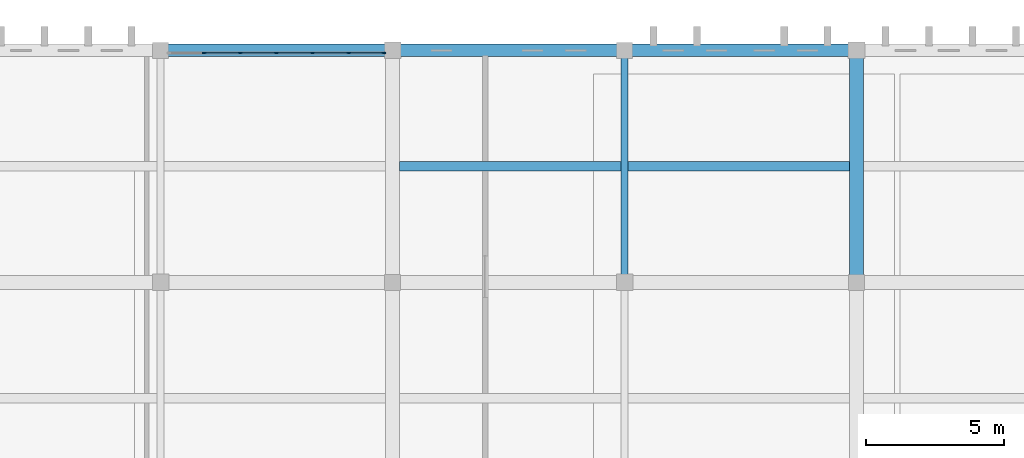
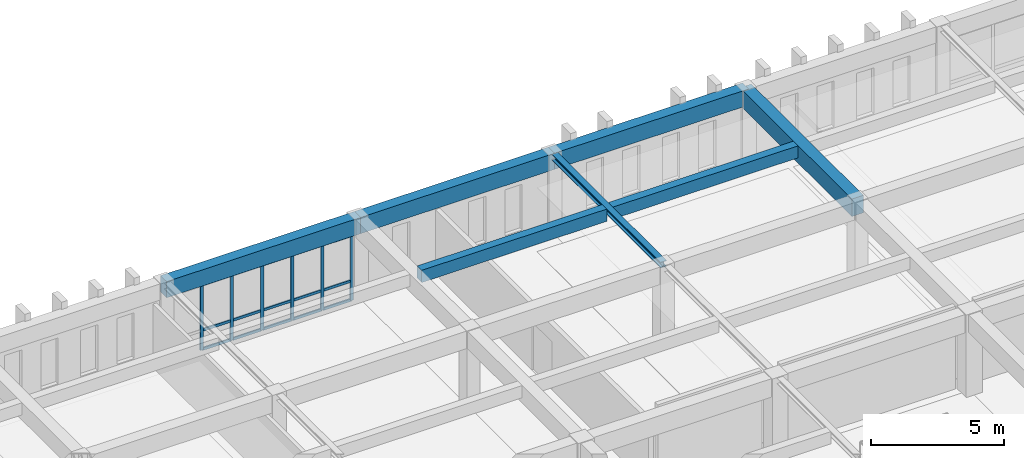
# One storey, part 52 of 110: 21 members, 7 beams, 1 element without a shape of its own.
"""IFC4 building model written with IfcOpenShell, lengths in metres."""

import ifcopenshell
import ifcopenshell.guid

model = None  # the IFC model being written
_history = None  # IfcOwnerHistory: only IFC2X3 demands one
_inside = {}  # id of a spatial element -> (the spatial element, [elements in it])
_under = {}  # id of a project, library or spatial element -> (it, [spatial elements below it])
_declared = {}  # id of a project -> (the project, [libraries it declares])
_typed = {}  # id of a type object -> (the type object, [elements of that type])
_made_of = {}  # id of a material, layer set ... -> (it, [elements and type objects made of it])


def new_model(schema):
    """Start an empty IFC model of exactly this schema.

    Asked for "IFC4X3", IfcOpenShell would pick the latest addendum, in which some entities
    have other attributes; the version numbers below select the first issue.
    IFC2X3 requires an IfcOwnerHistory on every rooted entity: one is made here for all.
    """
    global model, _history
    if schema == "IFC4X3":
        model = ifcopenshell.file(schema_version=(4, 3, 0, 0))
    else:
        model = ifcopenshell.file(schema=schema)
    _inside.clear()
    _under.clear()
    _declared.clear()
    _typed.clear()
    _made_of.clear()
    _history = None
    if model.schema == "IFC2X3":
        org = make("IfcOrganization", Name="unknown")
        user = make(
            "IfcPersonAndOrganization",
            ThePerson=make("IfcPerson", FamilyName="unknown"),
            TheOrganization=org,
        )
        app = make(
            "IfcApplication",
            ApplicationDeveloper=org,
            Version="unknown",
            ApplicationFullName="unknown",
            ApplicationIdentifier="unknown",
        )
        _history = make(
            "IfcOwnerHistory",
            OwningUser=user,
            OwningApplication=app,
            ChangeAction="ADDED",
            CreationDate=0,
        )
    return model


def make(cls, **values):
    """One entity of the class cls with the attributes given. An attribute that is None is left unset."""
    return model.create_entity(
        cls, **{name: value for name, value in values.items() if value is not None}
    )


def rooted(cls, **values):
    """An entity with a GlobalId (a new one), such as an element, a storey or a relation."""
    return make(cls, GlobalId=ifcopenshell.guid.new(), OwnerHistory=_history, **values)


def si_unit(unit_type, name, prefix=None):
    """IfcSIUnit, for example si_unit("LENGTHUNIT", "METRE", prefix="MILLI")."""
    return make("IfcSIUnit", UnitType=unit_type, Prefix=prefix, Name=name)


def assignment(units):
    """IfcUnitAssignment: the units of a project."""
    return None if units is None else make("IfcUnitAssignment", Units=units)


def point(xyz):
    """IfcCartesianPoint."""
    return None if xyz is None else make("IfcCartesianPoint", Coordinates=xyz)


def direction(xyz):
    """IfcDirection."""
    return None if xyz is None else make("IfcDirection", DirectionRatios=xyz)


def frame(location, z_axis=None, x_axis=None):
    """IfcAxis2Placement3D, a coordinate frame: its origin and axes. An axis left out is left unset."""
    return make(
        "IfcAxis2Placement3D",
        Location=point(location),
        Axis=direction(z_axis),
        RefDirection=direction(x_axis),
    )


def frame_2d(location, x_axis=None):
    """IfcAxis2Placement2D, a coordinate frame in the plane: its origin and x axis."""
    return make(
        "IfcAxis2Placement2D", Location=point(location), RefDirection=direction(x_axis)
    )


def origin():
    """The frame at (0, 0, 0) with its axes left unset."""
    return frame((0.0, 0.0, 0.0))


def origin_2d():
    """The frame at (0, 0) in the plane with its x axis left unset."""
    return frame_2d((0.0, 0.0))


def place(relative_to, where):
    """IfcLocalPlacement: puts the frame where relative to a parent placement (None: the world)."""
    return make(
        "IfcLocalPlacement", PlacementRelTo=relative_to, RelativePlacement=where
    )


def context(
    kind, dimensions, precision=None, world=None, true_north=None, identifier=None
):
    """IfcGeometricRepresentationContext, for example the 3D "Model" context."""
    return make(
        "IfcGeometricRepresentationContext",
        ContextIdentifier=identifier,
        ContextType=kind,
        CoordinateSpaceDimension=dimensions,
        Precision=precision,
        WorldCoordinateSystem=world,
        TrueNorth=true_north,
    )


def subcontext(parent, identifier, kind, view, scale=None):
    """IfcGeometricRepresentationSubContext, for example "Body" below "Model"."""
    return make(
        "IfcGeometricRepresentationSubContext",
        ContextIdentifier=identifier,
        ContextType=kind,
        ParentContext=parent,
        TargetScale=scale,
        TargetView=view,
    )


def project(units=None, contexts=None):
    """IfcProject with its units and contexts."""
    return rooted(
        "IfcProject",
        Name="project",
        RepresentationContexts=contexts,
        UnitsInContext=assignment(units),
    )


def spatial(cls, under=None, at=None, **own):
    """A site, building, storey or space (cls), placed at a placement, below another one or the project."""
    s = rooted(cls, ObjectPlacement=at, **own)
    if under is not None:
        _under.setdefault(under.id(), (under, []))[1].append(s)
    return s


def profile(cls, at=None, kind="AREA", **sizes):
    """A parametric profile (cls). Its sizes go by their IFC names, for example OverallWidth=200.0."""
    return make(cls, ProfileType=kind, Position=at, **sizes)


def rectangle(**sizes):
    """IfcRectangleProfileDef."""
    return profile("IfcRectangleProfileDef", **sizes)


def i_section(**sizes):
    """IfcIShapeProfileDef."""
    return profile("IfcIShapeProfileDef", **sizes)


def extrude(swept, where, along, depth):
    """IfcExtrudedAreaSolid: the profile swept, set in the frame where, extruded along a direction by depth."""
    return make(
        "IfcExtrudedAreaSolid",
        SweptArea=swept,
        Position=where,
        ExtrudedDirection=direction(along),
        Depth=depth,
    )


def shape(context_of_items, identifier, shape_type, items):
    """IfcShapeRepresentation: the items that make up one representation, for example the "Body"."""
    return make(
        "IfcShapeRepresentation",
        ContextOfItems=context_of_items,
        RepresentationIdentifier=identifier,
        RepresentationType=shape_type,
        Items=items,
    )


def material(Name=None, Category=None):
    """IfcMaterial."""
    return make("IfcMaterial", Name=Name, Category=Category)


def layer(
    of_material, thickness, ventilated=None, Name=None, Category=None, Priority=None
):
    """IfcMaterialLayer: one layer of a wall or slab, of a material (None: an air gap)."""
    return make(
        "IfcMaterialLayer",
        Material=of_material,
        LayerThickness=thickness,
        IsVentilated=ventilated,
        Name=Name,
        Category=Category,
        Priority=Priority,
    )


def layer_set(layers, Name=None):
    """IfcMaterialLayerSet."""
    return make("IfcMaterialLayerSet", MaterialLayers=layers, LayerSetName=Name)


def material_profile(
    of_material, cross_section, Name=None, Category=None, Priority=None
):
    """IfcMaterialProfile: a cross section and its material."""
    return make(
        "IfcMaterialProfile",
        Name=Name,
        Material=of_material,
        Profile=cross_section,
        Priority=Priority,
        Category=Category,
    )


def profile_set(profiles, Name=None, composite=None):
    """IfcMaterialProfileSet."""
    return make(
        "IfcMaterialProfileSet",
        Name=Name,
        MaterialProfiles=profiles,
        CompositeProfile=composite,
    )


def made_of(thing, what):
    """Note that an element or type object is made of a material, layer set ...; save() writes the relation."""
    if what is not None:
        _made_of.setdefault(what.id(), (what, []))[1].append(thing)
    return thing


def type_object(cls, material=None, **own):
    """A type object (cls), such as IfcWallType, which elements share."""
    return made_of(rooted(cls, **own), material)


def element(
    cls,
    number,
    at=None,
    inside=None,
    cuts=None,
    type_object=None,
    material=None,
    context=None,
    identifier="Body",
    shape_type=None,
    held_by="IfcProductDefinitionShape",
    body=None,
    shapes=None,
    **own,
):
    """One element of the class cls, such as IfcWall. Its Tag is "e" and its number.

    at: its placement. inside: the storey or other place that contains it. cuts: it is an
    opening in that element (IfcRelVoidsElement). A single representation is given by context,
    identifier, shape_type and body (its items); several are given by shapes. held_by: the class
    of the entity that holds the representations. save() writes the other relations.
    """
    e = rooted(cls, Tag="e%d" % number, ObjectPlacement=at, **own)
    if body is not None:
        shapes = [shape(context, identifier, shape_type, body)]
    if shapes is not None:
        e.Representation = make(held_by, Representations=shapes)
    if inside is not None:
        _inside.setdefault(inside.id(), (inside, []))[1].append(e)
    if cuts is not None:
        rooted(
            "IfcRelVoidsElement", RelatingBuildingElement=cuts, RelatedOpeningElement=e
        )
    if type_object is not None:
        _typed.setdefault(type_object.id(), (type_object, []))[1].append(e)
    return made_of(e, material)


def aggregate(whole, parts):
    """IfcRelAggregates: a whole, such as a stair, and the parts it consists of."""
    return rooted("IfcRelAggregates", RelatingObject=whole, RelatedObjects=parts)


def save(model, path):
    """Write the relations noted so far, then the file.

    IfcRelAggregates (storeys below a building ...), IfcRelContainedInSpatialStructure (elements
    in a storey), IfcRelDefinesByType, IfcRelAssociatesMaterial and IfcRelDeclares: one each for
    every whole, place, type object, material and project.
    """
    for whole, parts in _under.values():
        aggregate(whole, parts)
    for where, things in _inside.values():
        rooted(
            "IfcRelContainedInSpatialStructure",
            RelatedElements=things,
            RelatingStructure=where,
        )
    for kind, things in _typed.values():
        rooted("IfcRelDefinesByType", RelatedObjects=things, RelatingType=kind)
    for what, things in _made_of.values():
        rooted("IfcRelAssociatesMaterial", RelatedObjects=things, RelatingMaterial=what)
    for by, libraries in _declared.values():
        rooted("IfcRelDeclares", RelatingContext=by, RelatedDefinitions=libraries)
    model.write(path)


model = new_model("IFC4")

# Units and contexts
model_context = context("Model", 3, precision=1e-05, world=origin(), true_north=direction((0.0, 1.0)))
body_context = subcontext(model_context, "Body", "Model", "MODEL_VIEW")
ifc_project = project(units=[si_unit("LENGTHUNIT", "METRE"), si_unit("AREAUNIT", "SQUARE_METRE"), si_unit("VOLUMEUNIT", "CUBIC_METRE"), si_unit("PLANEANGLEUNIT", "RADIAN"), si_unit("MASSUNIT", "GRAM", prefix="KILO")], contexts=[model_context])

# Site, building, storey
site_placement = place(None, origin())
site = spatial("IfcSite", under=ifc_project, at=site_placement, CompositionType="ELEMENT")
building_placement = place(site_placement, origin())
building = spatial("IfcBuilding", under=site, at=building_placement, Name="Kveldsbrygga Polytechnic", CompositionType="ELEMENT")
storey_placement = place(building_placement, frame((0.0, 0.0, 9.860107421875)))
storey = spatial("IfcBuildingStorey", under=building, at=storey_placement, Name="L02", CompositionType="ELEMENT", Elevation=9.860107421875)

# Beams
ifc_material_1 = material(Name="Concrete C35/45", Category="concrete")
ifc_material_profile_1 = material_profile(ifc_material_1, rectangle(XDim=0.4599609375, YDim=0.739990234375, at=origin_2d()), Name="RC 460x740")
ifc_profile_set_1 = profile_set([ifc_material_profile_1], Name="Concrete C35/45")
beam_type_1 = type_object("IfcBeamType", Name="BM-RC-460x740", PredefinedType="BEAM", material=ifc_profile_set_1)
beam_1_placement = place(storey_placement, frame((126.0, 117.60009765625, 3.3798828125), z_axis=(1.0, 0.0, 0.0), x_axis=(0.0, 1.0, 0.0)))
element("IfcBeam", 1, at=beam_1_placement, inside=storey, type_object=beam_type_1, Name="Primary Beam BMX-L02-15to16-14", PredefinedType="BEAM", context=body_context, shape_type="SweptSolid", body=[
    extrude(rectangle(XDim=0.4599609375, YDim=0.739990234375, at=origin_2d()), origin(), (0.0, 0.0, 1.0), 8.39990234375),
])
beam_2_placement = place(storey_placement, frame((134.39990234375, 117.60009765625, 3.3798828125), z_axis=(1.0, 0.0, 0.0), x_axis=(0.0, 1.0, 0.0)))
element("IfcBeam", 2, at=beam_2_placement, inside=storey, type_object=beam_type_1, Name="Primary Beam BMX-L02-16to17-14", PredefinedType="BEAM", context=body_context, shape_type="SweptSolid", body=[
    extrude(rectangle(XDim=0.4599609375, YDim=0.739990234375, at=origin_2d()), origin(), (0.0, 0.0, 1.0), 8.400146484375),
])
beam_3_placement = place(storey_placement, frame((142.800048828125, 117.60009765625, 3.3798828125), z_axis=(1.0, 0.0, 0.0), x_axis=(0.0, 1.0, 0.0)))
element("IfcBeam", 3, at=beam_3_placement, inside=storey, type_object=beam_type_1, Name="Primary Beam BMX-L02-17to18-14", PredefinedType="BEAM", context=body_context, shape_type="SweptSolid", body=[
    extrude(rectangle(XDim=0.4599609375, YDim=0.739990234375, at=origin_2d()), origin(), (0.0, 0.0, 1.0), 8.39990234375),
])
ifc_material_profile_2 = material_profile(ifc_material_1, rectangle(XDim=0.5, YDim=0.800048828125, at=origin_2d()), Name="RC 500x800")
ifc_profile_set_2 = profile_set([ifc_material_profile_2], Name="Concrete C35/45")
beam_type_2 = type_object("IfcBeamType", Name="BM-RC-500x800", PredefinedType="BEAM", material=ifc_profile_set_2)
beam_4_placement = place(storey_placement, frame((151.199951171875, 109.199951171875, 3.349853515625), z_axis=(0.0, 1.0, 0.0), x_axis=(-1.0, 0.0, 0.0)))
element("IfcBeam", 4, at=beam_4_placement, inside=storey, type_object=beam_type_2, Name="Primary Beam BMY-L02-18-13to14", PredefinedType="BEAM", context=body_context, shape_type="SweptSolid", body=[
    extrude(rectangle(XDim=0.5, YDim=0.800048828125, at=origin_2d()), origin(), (0.0, 0.0, 1.0), 8.400146484375),
])
ifc_material_2 = material(Name="Steel S355", Category="steel")
ifc_material_profile_3 = material_profile(ifc_material_2, i_section(OverallWidth=0.260009765625, OverallDepth=0.260009765625, WebThickness=0.010009765625, FlangeThickness=0.017578125, FilletRadius=0.02392578125, at=origin_2d()), Name="HEB 260")
ifc_profile_set_3 = profile_set([ifc_material_profile_3], Name="Steel S355")
beam_type_3 = type_object("IfcBeamType", Name="BM-STL-HEB260", PredefinedType="BEAM", material=ifc_profile_set_3)
beam_5_placement = place(storey_placement, frame((142.800048828125, 109.199951171875, 3.619873046875), z_axis=(0.0, 1.0, 0.0), x_axis=(-1.0, 0.0, 0.0)))
element("IfcBeam", 5, at=beam_5_placement, inside=storey, type_object=beam_type_3, Name="Primary Beam BMY-L02-17-13to14", PredefinedType="BEAM", context=body_context, shape_type="SweptSolid", body=[
    extrude(i_section(OverallWidth=0.260009765625, OverallDepth=0.260009765625, WebThickness=0.010009765625, FlangeThickness=0.017578125, FilletRadius=0.02392578125, at=origin_2d()), origin(), (0.0, 0.0, 1.0), 8.400146484375),
])

# Curtain wall, members
ifc_material_3 = material(Name="Anodised aluminium AW-6060", Category="aluminium")
ifc_layer = layer(ifc_material_3, 0.179931640625)
ifc_layer_set = layer_set([ifc_layer], Name="Anodised aluminium AW-6060")
curtain_wall_type = type_object("IfcCurtainWallType", Name="CW-CONC-A", PredefinedType="USERDEFINED", material=ifc_layer_set)
curtain_wall_placement = place(storey_placement, origin())
curtain_wall = element("IfcCurtainWall", 6, at=curtain_wall_placement, inside=storey, type_object=curtain_wall_type, Name="Curtain Wall CW-L02-X-15-14", ObjectType="UNITISED CURTAIN WALL", PredefinedType="USERDEFINED")
ifc_material_profile_4 = material_profile(ifc_material_3, rectangle(XDim=0.06005859375, YDim=0.139892578125, at=origin_2d()), Name="ALU 60x140")
ifc_profile_set_4 = profile_set([ifc_material_profile_4], Name="Anodised aluminium AW-6060")
member_type_1 = type_object("IfcMemberType", Name="CW-MUL-140", PredefinedType="MULLION", material=ifc_profile_set_4)
member_1_placement = place(storey_placement, frame((127.581787109375, 117.5, 0.0), z_axis=(0.0, 0.0, 1.0), x_axis=(0.0, 1.0, 0.0)))
member_1 = element("IfcMember", 7, at=member_1_placement, type_object=member_type_1, Name="CW-01 mullion 2", PredefinedType="MULLION", context=body_context, shape_type="SweptSolid", body=[
    extrude(rectangle(XDim=0.06005859375, YDim=0.139892578125, at=origin_2d()), origin(), (0.0, 0.0, 1.0), 3.010009765625),
])
member_2_placement = place(storey_placement, frame((128.888427734375, 117.5, 0.0), z_axis=(0.0, 0.0, 1.0), x_axis=(0.0, 1.0, 0.0)))
member_2 = element("IfcMember", 8, at=member_2_placement, type_object=member_type_1, Name="CW-01 mullion 3", PredefinedType="MULLION", context=body_context, shape_type="SweptSolid", body=[
    extrude(rectangle(XDim=0.06005859375, YDim=0.139892578125, at=origin_2d()), origin(), (0.0, 0.0, 1.0), 3.010009765625),
])
member_3_placement = place(storey_placement, frame((130.195068359375, 117.5, 0.0), z_axis=(0.0, 0.0, 1.0), x_axis=(0.0, 1.0, 0.0)))
member_3 = element("IfcMember", 9, at=member_3_placement, type_object=member_type_1, Name="CW-01 mullion 4", PredefinedType="MULLION", context=body_context, shape_type="SweptSolid", body=[
    extrude(rectangle(XDim=0.06005859375, YDim=0.139892578125, at=origin_2d()), origin(), (0.0, 0.0, 1.0), 3.010009765625),
])
member_4_placement = place(storey_placement, frame((131.501708984375, 117.5, 0.0), z_axis=(0.0, 0.0, 1.0), x_axis=(0.0, 1.0, 0.0)))
member_4 = element("IfcMember", 10, at=member_4_placement, type_object=member_type_1, Name="CW-01 mullion 5", PredefinedType="MULLION", context=body_context, shape_type="SweptSolid", body=[
    extrude(rectangle(XDim=0.06005859375, YDim=0.139892578125, at=origin_2d()), origin(), (0.0, 0.0, 1.0), 3.010009765625),
])
member_5_placement = place(storey_placement, frame((132.808349609375, 117.5, 0.0), z_axis=(0.0, 0.0, 1.0), x_axis=(0.0, 1.0, 0.0)))
member_5 = element("IfcMember", 11, at=member_5_placement, type_object=member_type_1, Name="CW-01 mullion 6", PredefinedType="MULLION", context=body_context, shape_type="SweptSolid", body=[
    extrude(rectangle(XDim=0.06005859375, YDim=0.139892578125, at=origin_2d()), origin(), (0.0, 0.0, 1.0), 3.010009765625),
])
member_6_placement = place(storey_placement, frame((134.0849609375, 117.5, 0.0), z_axis=(0.0, 0.0, 1.0), x_axis=(0.0, 1.0, 0.0)))
member_6 = element("IfcMember", 12, at=member_6_placement, type_object=member_type_1, Name="CW-01 mullion 7", PredefinedType="MULLION", context=body_context, shape_type="SweptSolid", body=[
    extrude(rectangle(XDim=0.06005859375, YDim=0.139892578125, at=origin_2d()), origin(), (0.0, 0.0, 1.0), 3.010009765625),
])
ifc_material_profile_5 = material_profile(ifc_material_3, rectangle(XDim=0.06005859375, YDim=0.1201171875, at=origin_2d()), Name="ALU 60x120")
ifc_profile_set_5 = profile_set([ifc_material_profile_5], Name="Anodised aluminium AW-6060")
member_type_2 = type_object("IfcMemberType", Name="CW-TRN-120", PredefinedType="USERDEFINED", material=ifc_profile_set_5)
member_7_placement = place(storey_placement, frame((127.611572265625, 117.5, 0.02978515625), z_axis=(1.0, 0.0, 0.0), x_axis=(0.0, 1.0, 0.0)))
member_7 = element("IfcMember", 13, at=member_7_placement, type_object=member_type_2, Name="CW-01 transom 2.1", ObjectType="TRANSOM", PredefinedType="USERDEFINED", context=body_context, shape_type="SweptSolid", body=[
    extrude(rectangle(XDim=0.06005859375, YDim=0.1201171875, at=origin_2d()), origin(), (0.0, 0.0, 1.0), 1.246826171875),
])
member_8_placement = place(storey_placement, frame((127.611572265625, 117.5, 0.89990234375), z_axis=(1.0, 0.0, 0.0), x_axis=(0.0, 1.0, 0.0)))
member_8 = element("IfcMember", 14, at=member_8_placement, type_object=member_type_2, Name="CW-01 transom 2.2", ObjectType="TRANSOM", PredefinedType="USERDEFINED", context=body_context, shape_type="SweptSolid", body=[
    extrude(rectangle(XDim=0.06005859375, YDim=0.1201171875, at=origin_2d()), origin(), (0.0, 0.0, 1.0), 1.246826171875),
])
member_9_placement = place(storey_placement, frame((127.611572265625, 117.5, 2.97998046875), z_axis=(1.0, 0.0, 0.0), x_axis=(0.0, 1.0, 0.0)))
member_9 = element("IfcMember", 15, at=member_9_placement, type_object=member_type_2, Name="CW-01 transom 2.3", ObjectType="TRANSOM", PredefinedType="USERDEFINED", context=body_context, shape_type="SweptSolid", body=[
    extrude(rectangle(XDim=0.06005859375, YDim=0.1201171875, at=origin_2d()), origin(), (0.0, 0.0, 1.0), 1.246826171875),
])
member_10_placement = place(storey_placement, frame((128.918212890625, 117.5, 0.02978515625), z_axis=(1.0, 0.0, 0.0), x_axis=(0.0, 1.0, 0.0)))
member_10 = element("IfcMember", 16, at=member_10_placement, type_object=member_type_2, Name="CW-01 transom 3.1", ObjectType="TRANSOM", PredefinedType="USERDEFINED", context=body_context, shape_type="SweptSolid", body=[
    extrude(rectangle(XDim=0.06005859375, YDim=0.1201171875, at=origin_2d()), origin(), (0.0, 0.0, 1.0), 1.246826171875),
])
member_11_placement = place(storey_placement, frame((128.918212890625, 117.5, 0.89990234375), z_axis=(1.0, 0.0, 0.0), x_axis=(0.0, 1.0, 0.0)))
member_11 = element("IfcMember", 17, at=member_11_placement, type_object=member_type_2, Name="CW-01 transom 3.2", ObjectType="TRANSOM", PredefinedType="USERDEFINED", context=body_context, shape_type="SweptSolid", body=[
    extrude(rectangle(XDim=0.06005859375, YDim=0.1201171875, at=origin_2d()), origin(), (0.0, 0.0, 1.0), 1.246826171875),
])
member_12_placement = place(storey_placement, frame((128.918212890625, 117.5, 2.97998046875), z_axis=(1.0, 0.0, 0.0), x_axis=(0.0, 1.0, 0.0)))
member_12 = element("IfcMember", 18, at=member_12_placement, type_object=member_type_2, Name="CW-01 transom 3.3", ObjectType="TRANSOM", PredefinedType="USERDEFINED", context=body_context, shape_type="SweptSolid", body=[
    extrude(rectangle(XDim=0.06005859375, YDim=0.1201171875, at=origin_2d()), origin(), (0.0, 0.0, 1.0), 1.246826171875),
])
member_13_placement = place(storey_placement, frame((130.22509765625, 117.5, 0.02978515625), z_axis=(1.0, 0.0, 0.0), x_axis=(0.0, 1.0, 0.0)))
member_13 = element("IfcMember", 19, at=member_13_placement, type_object=member_type_2, Name="CW-01 transom 4.1", ObjectType="TRANSOM", PredefinedType="USERDEFINED", context=body_context, shape_type="SweptSolid", body=[
    extrude(rectangle(XDim=0.06005859375, YDim=0.1201171875, at=origin_2d()), origin(), (0.0, 0.0, 1.0), 1.24658203125),
])
member_14_placement = place(storey_placement, frame((130.22509765625, 117.5, 0.89990234375), z_axis=(1.0, 0.0, 0.0), x_axis=(0.0, 1.0, 0.0)))
member_14 = element("IfcMember", 20, at=member_14_placement, type_object=member_type_2, Name="CW-01 transom 4.2", ObjectType="TRANSOM", PredefinedType="USERDEFINED", context=body_context, shape_type="SweptSolid", body=[
    extrude(rectangle(XDim=0.06005859375, YDim=0.1201171875, at=origin_2d()), origin(), (0.0, 0.0, 1.0), 1.24658203125),
])
member_15_placement = place(storey_placement, frame((130.22509765625, 117.5, 2.97998046875), z_axis=(1.0, 0.0, 0.0), x_axis=(0.0, 1.0, 0.0)))
member_15 = element("IfcMember", 21, at=member_15_placement, type_object=member_type_2, Name="CW-01 transom 4.3", ObjectType="TRANSOM", PredefinedType="USERDEFINED", context=body_context, shape_type="SweptSolid", body=[
    extrude(rectangle(XDim=0.06005859375, YDim=0.1201171875, at=origin_2d()), origin(), (0.0, 0.0, 1.0), 1.24658203125),
])
member_16_placement = place(storey_placement, frame((131.53173828125, 117.5, 0.02978515625), z_axis=(1.0, 0.0, 0.0), x_axis=(0.0, 1.0, 0.0)))
member_16 = element("IfcMember", 22, at=member_16_placement, type_object=member_type_2, Name="CW-01 transom 5.1", ObjectType="TRANSOM", PredefinedType="USERDEFINED", context=body_context, shape_type="SweptSolid", body=[
    extrude(rectangle(XDim=0.06005859375, YDim=0.1201171875, at=origin_2d()), origin(), (0.0, 0.0, 1.0), 1.24658203125),
])
member_17_placement = place(storey_placement, frame((131.53173828125, 117.5, 0.89990234375), z_axis=(1.0, 0.0, 0.0), x_axis=(0.0, 1.0, 0.0)))
member_17 = element("IfcMember", 23, at=member_17_placement, type_object=member_type_2, Name="CW-01 transom 5.2", ObjectType="TRANSOM", PredefinedType="USERDEFINED", context=body_context, shape_type="SweptSolid", body=[
    extrude(rectangle(XDim=0.06005859375, YDim=0.1201171875, at=origin_2d()), origin(), (0.0, 0.0, 1.0), 1.24658203125),
])
member_18_placement = place(storey_placement, frame((131.53173828125, 117.5, 2.97998046875), z_axis=(1.0, 0.0, 0.0), x_axis=(0.0, 1.0, 0.0)))
member_18 = element("IfcMember", 24, at=member_18_placement, type_object=member_type_2, Name="CW-01 transom 5.3", ObjectType="TRANSOM", PredefinedType="USERDEFINED", context=body_context, shape_type="SweptSolid", body=[
    extrude(rectangle(XDim=0.06005859375, YDim=0.1201171875, at=origin_2d()), origin(), (0.0, 0.0, 1.0), 1.24658203125),
])
member_19_placement = place(storey_placement, frame((132.83837890625, 117.5, 0.02978515625), z_axis=(1.0, 0.0, 0.0), x_axis=(0.0, 1.0, 0.0)))
member_19 = element("IfcMember", 25, at=member_19_placement, type_object=member_type_2, Name="CW-01 transom 6.1", ObjectType="TRANSOM", PredefinedType="USERDEFINED", context=body_context, shape_type="SweptSolid", body=[
    extrude(rectangle(XDim=0.06005859375, YDim=0.1201171875, at=origin_2d()), origin(), (0.0, 0.0, 1.0), 1.216552734375),
])
member_20_placement = place(storey_placement, frame((132.83837890625, 117.5, 0.89990234375), z_axis=(1.0, 0.0, 0.0), x_axis=(0.0, 1.0, 0.0)))
member_20 = element("IfcMember", 26, at=member_20_placement, type_object=member_type_2, Name="CW-01 transom 6.2", ObjectType="TRANSOM", PredefinedType="USERDEFINED", context=body_context, shape_type="SweptSolid", body=[
    extrude(rectangle(XDim=0.06005859375, YDim=0.1201171875, at=origin_2d()), origin(), (0.0, 0.0, 1.0), 1.216552734375),
])
member_21_placement = place(storey_placement, frame((132.83837890625, 117.5, 2.97998046875), z_axis=(1.0, 0.0, 0.0), x_axis=(0.0, 1.0, 0.0)))
member_21 = element("IfcMember", 27, at=member_21_placement, type_object=member_type_2, Name="CW-01 transom 6.3", ObjectType="TRANSOM", PredefinedType="USERDEFINED", context=body_context, shape_type="SweptSolid", body=[
    extrude(rectangle(XDim=0.06005859375, YDim=0.1201171875, at=origin_2d()), origin(), (0.0, 0.0, 1.0), 1.216552734375),
])
aggregate(curtain_wall, [member_1, member_2, member_3, member_4, member_5, member_6, member_7, member_8, member_9, member_10, member_11, member_12, member_13, member_14, member_15, member_16, member_17, member_18, member_19, member_20, member_21])

# Beams
ifc_material_profile_6 = material_profile(ifc_material_1, rectangle(XDim=0.340087890625, YDim=0.56005859375, at=origin_2d()), Name="RC 340x560")
ifc_profile_set_6 = profile_set([ifc_material_profile_6], Name="Concrete C35/45")
beam_type_4 = type_object("IfcBeamType", Name="JST-RC-340x560", PredefinedType="JOIST", material=ifc_profile_set_6)
beam_6_placement = place(storey_placement, frame((134.64990234375, 113.39990234375, 3.469970703125), z_axis=(1.0, 0.0, 0.0), x_axis=(0.0, 1.0, 0.0)))
element("IfcBeam", 28, at=beam_6_placement, inside=storey, type_object=beam_type_4, Name="Secondary Joist JST-L02-16-13", PredefinedType="JOIST", context=body_context, shape_type="SweptSolid", body=[
    extrude(rectangle(XDim=0.340087890625, YDim=0.56005859375, at=origin_2d()), origin(), (0.0, 0.0, 1.0), 8.02001953125),
])
ifc_material_profile_7 = material_profile(ifc_material_1, rectangle(XDim=0.35009765625, YDim=0.550048828125, at=origin_2d()), Name="RC 350x550")
ifc_profile_set_7 = profile_set([ifc_material_profile_7], Name="Concrete C35/45")
beam_type_5 = type_object("IfcBeamType", Name="JST-RC-350x550", PredefinedType="JOIST", material=ifc_profile_set_7)
beam_7_placement = place(storey_placement, frame((142.929931640625, 113.39990234375, 3.474853515625), z_axis=(1.0, 0.0, 0.0), x_axis=(0.0, 1.0, 0.0)))
element("IfcBeam", 29, at=beam_7_placement, inside=storey, type_object=beam_type_5, Name="Secondary Joist JST-L02-17-13", PredefinedType="JOIST", context=body_context, shape_type="SweptSolid", body=[
    extrude(rectangle(XDim=0.35009765625, YDim=0.550048828125, at=origin_2d()), origin(), (0.0, 0.0, 1.0), 8.02001953125),
])

save(model, "model.ifc")
